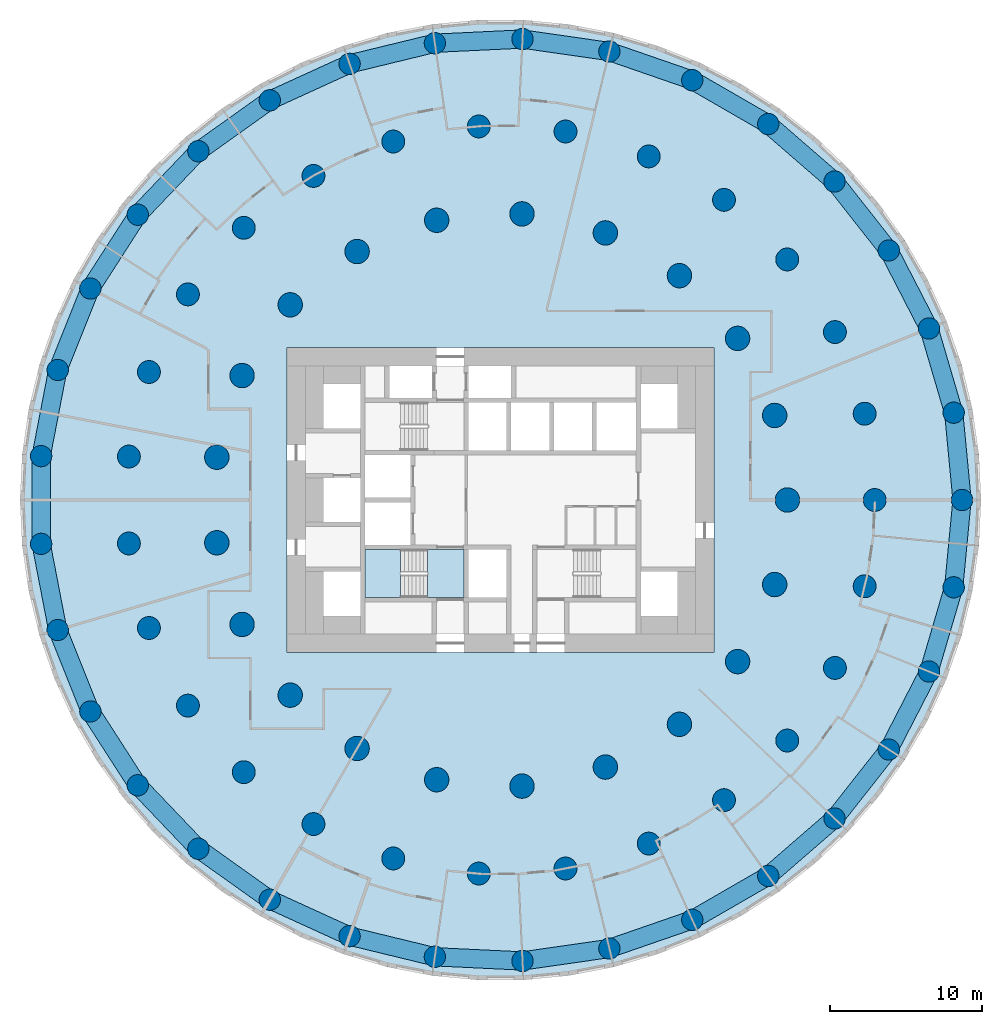
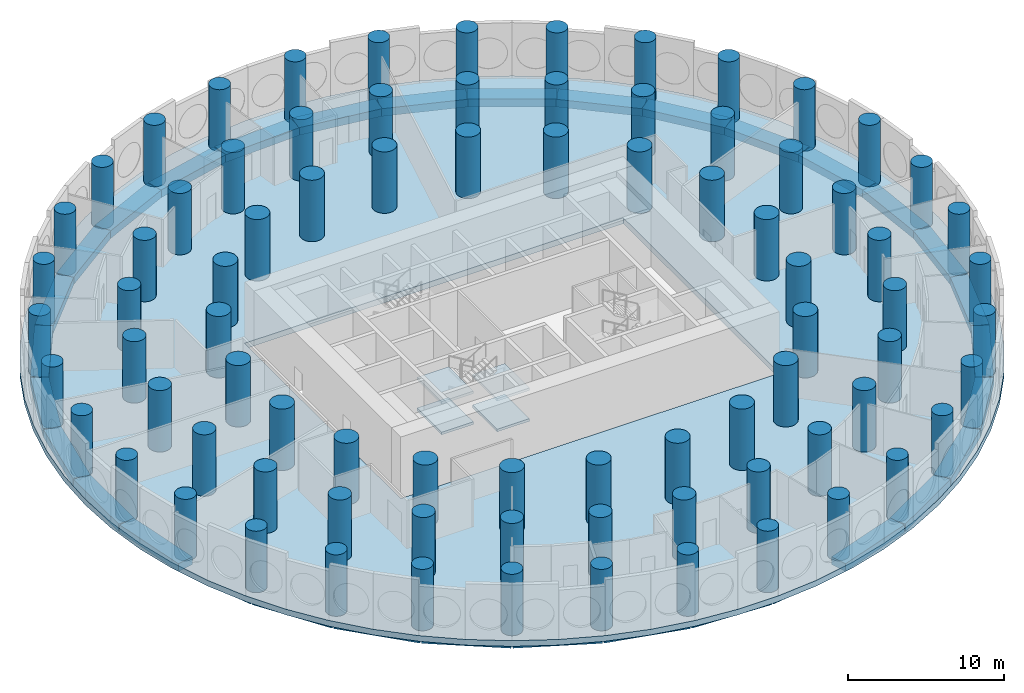
# One storey, part 1 of 11: 81 columns, 33 beams, 5 slabs, 1 element without a shape of its own.
"""IFC4 building model written with IfcOpenShell, lengths in metres."""

from ifc_helpers import new_model, si_unit, direction, frame, origin, origin_2d, place, context, subcontext, project, spatial, polyline, rectangle, circle, outline, extrude, material, layer, layer_set, material_profile, profile_set, type_object, element, aggregate, save


model = new_model("IFC4")

# Units and contexts
model_context = context("Model", 3, precision=1e-05, world=origin(), true_north=direction((0.0, 1.0)))
body_context = subcontext(model_context, "Body", "Model", "MODEL_VIEW")
ifc_project = project(units=[si_unit("LENGTHUNIT", "METRE"), si_unit("AREAUNIT", "SQUARE_METRE"), si_unit("VOLUMEUNIT", "CUBIC_METRE"), si_unit("PLANEANGLEUNIT", "RADIAN"), si_unit("MASSUNIT", "GRAM", prefix="KILO")], contexts=[model_context])

# Site, building, storey
site_placement = place(None, origin())
site = spatial("IfcSite", under=ifc_project, at=site_placement, CompositionType="ELEMENT")
building_placement = place(site_placement, origin())
building = spatial("IfcBuilding", under=site, at=building_placement, Name="Tracery Tower", CompositionType="ELEMENT")
storey_placement = place(building_placement, frame((0.0, 0.0, 23.39990234375)))
storey = spatial("IfcBuildingStorey", under=building, at=storey_placement, Name="L04", CompositionType="ELEMENT", Elevation=23.39990234375)

# Columns
ifc_material_1 = material(Name="Concrete C60/75", Category="concrete")
ifc_material_profile_1 = material_profile(ifc_material_1, circle(Radius=0.699951171875, at=origin_2d()), Name="RC D1400")
ifc_profile_set_1 = profile_set([ifc_material_profile_1], Name="Concrete C60/75")
column_type_1 = type_object("IfcColumnType", Name="Ring 0 column 1400", PredefinedType="COLUMN", material=ifc_profile_set_1)
for number, where, z_axis, x_axis, name in (
    (1, (30.274658203125, 0.0, 0.0), (0.0, 0.0, 1.0), (1.0, 0.0, 0.0), "Ring 0 column 00 at L04"),
    (2, (29.7275390625, 5.7294921875, 0.0), (0.0, 0.0, 1.0), (1.0, 0.0, 0.0), "Ring 0 column 01 at L04"),
    (3, (28.10595703125, 11.251953125, 0.0), (0.0, 0.0, 1.0), (1.0, 0.0, 0.0), "Ring 0 column 02 at L04"),
    (4, (25.468505859375, 16.36767578125, 0.0), (0.0, 0.0, 1.0), (1.0, 0.0, 0.0), "Ring 0 column 03 at L04"),
    (5, (21.910888671875, 20.891845703125, 0.0), (0.0, 0.0, 1.0), (1.0, 0.0, 0.0), "Ring 0 column 04 at L04"),
    (6, (17.56103515625, 24.660888671875, 0.0), (0.0, 0.0, 1.0), (1.0, 0.0, 0.0), "Ring 0 column 05 at L04"),
    (7, (12.576416015625, 27.538818359375, 0.0), (0.0, 0.0, 1.0), (1.0, 0.0, 0.0), "Ring 0 column 06 at L04"),
    (8, (7.137451171875, 29.421142578125, 0.0), (0.0, 0.0, 1.0), (1.0, 0.0, 0.0), "Ring 0 column 07 at L04"),
    (9, (1.4404296875, 30.240234375, 0.0), (0.0, 0.0, 1.0), (1.0, 0.0, 0.0), "Ring 0 column 08 at L04"),
    (10, (-4.30859375, 29.96630859375, 0.0), (0.0, 0.0, 1.0), (1.0, 0.0, 0.0), "Ring 0 column 09 at L04"),
    (11, (-9.90185546875, 28.609619140625, 0.0), (0.0, 0.0, 1.0), (1.0, 0.0, 0.0), "Ring 0 column 10 at L04"),
    (12, (-15.13720703125, 26.218505859375, 0.0), (0.0, 0.0, 1.0), (1.0, 0.0, 0.0), "Ring 0 column 11 at L04"),
    (13, (-19.82568359375, 22.8798828125, 0.0), (0.0, 0.0, 1.0), (1.0, 0.0, 0.0), "Ring 0 column 12 at L04"),
    (14, (-23.79736328125, 18.714599609375, 0.0), (0.0, 0.0, 1.0), (1.0, 0.0, 0.0), "Ring 0 column 13 at L04"),
    (15, (-26.9091796875, 13.87255859375, 0.0), (0.0, 0.0, 1.0), (1.0, 0.0, 0.0), "Ring 0 column 14 at L04"),
    (16, (-29.04833984375, 8.529296875, 0.0), (0.0, 0.0, 1.0), (1.0, 0.0, 0.0), "Ring 0 column 15 at L04"),
    (17, (-30.137451171875, 2.877685546875, 0.0), (0.0, 0.0, 1.0), (1.0, 0.0, 0.0), "Ring 0 column 16 at L04"),
    (18, (-30.137451171875, -2.877685546875, 0.0), (0.0, 0.0, 1.0), (1.0, 0.0, 0.0), "Ring 0 column 17 at L04"),
    (19, (-29.04833984375, -8.529296875, 0.0), (0.0, 0.0, 1.0), (1.0, 0.0, 0.0), "Ring 0 column 18 at L04"),
    (20, (-26.9091796875, -13.87255859375, 0.0), (0.0, 0.0, 1.0), (1.0, 0.0, 0.0), "Ring 0 column 19 at L04"),
    (21, (-23.79736328125, -18.714599609375, 0.0), (0.0, 0.0, 1.0), (1.0, 0.0, 0.0), "Ring 0 column 20 at L04"),
    (22, (-19.82568359375, -22.8798828125, 0.0), (0.0, 0.0, 1.0), (1.0, 0.0, 0.0), "Ring 0 column 21 at L04"),
    (23, (-15.13720703125, -26.218505859375, 0.0), (0.0, 0.0, 1.0), (1.0, 0.0, 0.0), "Ring 0 column 22 at L04"),
    (24, (-9.90185546875, -28.609619140625, 0.0), (0.0, 0.0, 1.0), (1.0, 0.0, 0.0), "Ring 0 column 23 at L04"),
    (25, (-4.30859375, -29.96630859375, 0.0), (0.0, 0.0, 1.0), (1.0, 0.0, 0.0), "Ring 0 column 24 at L04"),
    (26, (1.4404296875, -30.240234375, 0.0), (0.0, 0.0, 1.0), (1.0, 0.0, 0.0), "Ring 0 column 25 at L04"),
    (27, (7.137451171875, -29.421142578125, 0.0), (0.0, 0.0, 1.0), (1.0, 0.0, 0.0), "Ring 0 column 26 at L04"),
    (28, (12.576416015625, -27.538818359375, 0.0), (0.0, 0.0, 1.0), (1.0, 0.0, 0.0), "Ring 0 column 27 at L04"),
    (29, (17.56103515625, -24.660888671875, 0.0), (0.0, 0.0, 1.0), (1.0, 0.0, 0.0), "Ring 0 column 28 at L04"),
    (30, (21.910888671875, -20.891845703125, 0.0), (0.0, 0.0, 1.0), (1.0, 0.0, 0.0), "Ring 0 column 29 at L04"),
    (31, (25.468505859375, -16.36767578125, 0.0), (0.0, 0.0, 1.0), (1.0, 0.0, 0.0), "Ring 0 column 30 at L04"),
    (32, (28.10595703125, -11.251953125, 0.0), (0.0, 0.0, 1.0), (1.0, 0.0, 0.0), "Ring 0 column 31 at L04"),
    (33, (29.7275390625, -5.7294921875, 0.0), (0.0, 0.0, 1.0), (1.0, 0.0, 0.0), "Ring 0 column 32 at L04"),
):
    element("IfcColumn", number, at=place(storey_placement, frame(where, z_axis=z_axis, x_axis=x_axis)), inside=storey, type_object=column_type_1, Name=name, PredefinedType="COLUMN", context=body_context, shape_type="SweptSolid", body=[
        extrude(circle(Radius=0.699951171875, at=origin_2d()), origin(), (0.0, 0.0, 1.0), 4.800048828125),
    ])
ifc_material_2 = material(Name="Concrete C60/75", Category="concrete")
ifc_material_profile_2 = material_profile(ifc_material_2, circle(Radius=0.75, at=origin_2d()), Name="RC D1500")
ifc_profile_set_2 = profile_set([ifc_material_profile_2], Name="Concrete C60/75")
column_type_2 = type_object("IfcColumnType", Name="Ring 1 column 1500", PredefinedType="COLUMN", material=ifc_profile_set_2)
for number, where, z_axis, x_axis, name in (
    (34, (24.547607421875, 0.0, 0.0), (0.0, 0.0, 1.0), (1.0, 0.0, 0.0), "Ring 1 column 00 at L04"),
    (35, (23.885986328125, 5.6611328125, 0.0), (0.0, 0.0, 1.0), (1.0, 0.0, 0.0), "Ring 1 column 01 at L04"),
    (36, (21.9365234375, 11.01708984375, 0.0), (0.0, 0.0, 1.0), (1.0, 0.0, 0.0), "Ring 1 column 02 at L04"),
    (37, (18.8046875, 15.779052734375, 0.0), (0.0, 0.0, 1.0), (1.0, 0.0, 0.0), "Ring 1 column 03 at L04"),
    (38, (14.658935546875, 19.690185546875, 0.0), (0.0, 0.0, 1.0), (1.0, 0.0, 0.0), "Ring 1 column 04 at L04"),
    (39, (9.722900390625, 22.5400390625, 0.0), (0.0, 0.0, 1.0), (1.0, 0.0, 0.0), "Ring 1 column 05 at L04"),
    (40, (4.2626953125, 24.1748046875, 0.0), (0.0, 0.0, 1.0), (1.0, 0.0, 0.0), "Ring 1 column 06 at L04"),
    (41, (-1.42724609375, 24.506103515625, 0.0), (0.0, 0.0, 1.0), (1.0, 0.0, 0.0), "Ring 1 column 07 at L04"),
    (42, (-7.040283203125, 23.516357421875, 0.0), (0.0, 0.0, 1.0), (1.0, 0.0, 0.0), "Ring 1 column 08 at L04"),
    (43, (-12.273681640625, 21.2587890625, 0.0), (0.0, 0.0, 1.0), (1.0, 0.0, 0.0), "Ring 1 column 09 at L04"),
    (44, (-16.845703125, 17.855224609375, 0.0), (0.0, 0.0, 1.0), (1.0, 0.0, 0.0), "Ring 1 column 10 at L04"),
    (45, (-20.50927734375, 13.4892578125, 0.0), (0.0, 0.0, 1.0), (1.0, 0.0, 0.0), "Ring 1 column 11 at L04"),
    (46, (-23.0673828125, 8.395751953125, 0.0), (0.0, 0.0, 1.0), (1.0, 0.0, 0.0), "Ring 1 column 12 at L04"),
    (47, (-24.381591796875, 2.849853515625, 0.0), (0.0, 0.0, 1.0), (1.0, 0.0, 0.0), "Ring 1 column 13 at L04"),
    (48, (-24.381591796875, -2.849853515625, 0.0), (0.0, 0.0, 1.0), (1.0, 0.0, 0.0), "Ring 1 column 14 at L04"),
    (49, (-23.0673828125, -8.395751953125, 0.0), (0.0, 0.0, 1.0), (1.0, 0.0, 0.0), "Ring 1 column 15 at L04"),
    (50, (-20.50927734375, -13.4892578125, 0.0), (0.0, 0.0, 1.0), (1.0, 0.0, 0.0), "Ring 1 column 16 at L04"),
    (51, (-16.845703125, -17.85546875, 0.0), (0.0, 0.0, 1.0), (1.0, 0.0, 0.0), "Ring 1 column 17 at L04"),
    (52, (-12.27392578125, -21.2587890625, 0.0), (0.0, 0.0, 1.0), (1.0, 0.0, 0.0), "Ring 1 column 18 at L04"),
    (53, (-7.040283203125, -23.516357421875, 0.0), (0.0, 0.0, 1.0), (1.0, 0.0, 0.0), "Ring 1 column 19 at L04"),
    (54, (-1.42724609375, -24.506103515625, 0.0), (0.0, 0.0, 1.0), (1.0, 0.0, 0.0), "Ring 1 column 20 at L04"),
    (55, (4.2626953125, -24.1748046875, 0.0), (0.0, 0.0, 1.0), (1.0, 0.0, 0.0), "Ring 1 column 21 at L04"),
    (56, (9.722900390625, -22.5400390625, 0.0), (0.0, 0.0, 1.0), (1.0, 0.0, 0.0), "Ring 1 column 22 at L04"),
    (57, (14.658935546875, -19.690185546875, 0.0), (0.0, 0.0, 1.0), (1.0, 0.0, 0.0), "Ring 1 column 23 at L04"),
    (58, (18.8046875, -15.779052734375, 0.0), (0.0, 0.0, 1.0), (1.0, 0.0, 0.0), "Ring 1 column 24 at L04"),
    (59, (21.9365234375, -11.01708984375, 0.0), (0.0, 0.0, 1.0), (1.0, 0.0, 0.0), "Ring 1 column 25 at L04"),
    (60, (23.885986328125, -5.6611328125, 0.0), (0.0, 0.0, 1.0), (1.0, 0.0, 0.0), "Ring 1 column 26 at L04"),
):
    element("IfcColumn", number, at=place(storey_placement, frame(where, z_axis=z_axis, x_axis=x_axis)), inside=storey, type_object=column_type_2, Name=name, PredefinedType="COLUMN", context=body_context, shape_type="SweptSolid", body=[
        extrude(circle(Radius=0.75, at=origin_2d()), origin(), (0.0, 0.0, 1.0), 4.800048828125),
    ])
ifc_material_3 = material(Name="Concrete C60/75", Category="concrete")
ifc_material_profile_3 = material_profile(ifc_material_3, circle(Radius=0.800048828125, at=origin_2d()), Name="RC D1600")
ifc_profile_set_3 = profile_set([ifc_material_profile_3], Name="Concrete C60/75")
column_type_3 = type_object("IfcColumnType", Name="Ring 2 column 1600", PredefinedType="COLUMN", material=ifc_profile_set_3)
for number, where, z_axis, x_axis, name in (
    (61, (18.822265625, 0.0, 0.0), (0.0, 0.0, 1.0), (1.0, 0.0, 0.0), "Ring 2 column 00 at L04"),
    (62, (17.986083984375, 5.5478515625, 0.0), (0.0, 0.0, 1.0), (1.0, 0.0, 0.0), "Ring 2 column 01 at L04"),
    (63, (15.551513671875, 10.602783203125, 0.0), (0.0, 0.0, 1.0), (1.0, 0.0, 0.0), "Ring 2 column 02 at L04"),
    (64, (11.7353515625, 14.7158203125, 0.0), (0.0, 0.0, 1.0), (1.0, 0.0, 0.0), "Ring 2 column 03 at L04"),
    (65, (6.87646484375, 17.52099609375, 0.0), (0.0, 0.0, 1.0), (1.0, 0.0, 0.0), "Ring 2 column 04 at L04"),
    (66, (1.406494140625, 18.76953125, 0.0), (0.0, 0.0, 1.0), (1.0, 0.0, 0.0), "Ring 2 column 05 at L04"),
    (67, (-4.188232421875, 18.350341796875, 0.0), (0.0, 0.0, 1.0), (1.0, 0.0, 0.0), "Ring 2 column 06 at L04"),
    (68, (-9.4111328125, 16.300537109375, 0.0), (0.0, 0.0, 1.0), (1.0, 0.0, 0.0), "Ring 2 column 07 at L04"),
    (69, (-13.797607421875, 12.802490234375, 0.0), (0.0, 0.0, 1.0), (1.0, 0.0, 0.0), "Ring 2 column 08 at L04"),
    (70, (-16.958251953125, 8.16650390625, 0.0), (0.0, 0.0, 1.0), (1.0, 0.0, 0.0), "Ring 2 column 09 at L04"),
    (71, (-18.612060546875, 2.805419921875, 0.0), (0.0, 0.0, 1.0), (1.0, 0.0, 0.0), "Ring 2 column 10 at L04"),
    (72, (-18.612060546875, -2.805419921875, 0.0), (0.0, 0.0, 1.0), (1.0, 0.0, 0.0), "Ring 2 column 11 at L04"),
    (73, (-16.958251953125, -8.166748046875, 0.0), (0.0, 0.0, 1.0), (1.0, 0.0, 0.0), "Ring 2 column 12 at L04"),
    (74, (-13.797607421875, -12.80224609375, 0.0), (0.0, 0.0, 1.0), (1.0, 0.0, 0.0), "Ring 2 column 13 at L04"),
    (75, (-9.4111328125, -16.300537109375, 0.0), (0.0, 0.0, 1.0), (1.0, 0.0, 0.0), "Ring 2 column 14 at L04"),
    (76, (-4.188232421875, -18.350341796875, 0.0), (0.0, 0.0, 1.0), (1.0, 0.0, 0.0), "Ring 2 column 15 at L04"),
    (77, (1.406494140625, -18.76953125, 0.0), (0.0, 0.0, 1.0), (1.0, 0.0, 0.0), "Ring 2 column 16 at L04"),
    (78, (6.87646484375, -17.52099609375, 0.0), (0.0, 0.0, 1.0), (1.0, 0.0, 0.0), "Ring 2 column 17 at L04"),
    (79, (11.7353515625, -14.7158203125, 0.0), (0.0, 0.0, 1.0), (1.0, 0.0, 0.0), "Ring 2 column 18 at L04"),
    (80, (15.551513671875, -10.602783203125, 0.0), (0.0, 0.0, 1.0), (1.0, 0.0, 0.0), "Ring 2 column 19 at L04"),
    (81, (17.986083984375, -5.5478515625, 0.0), (0.0, 0.0, 1.0), (1.0, 0.0, 0.0), "Ring 2 column 20 at L04"),
):
    element("IfcColumn", number, at=place(storey_placement, frame(where, z_axis=z_axis, x_axis=x_axis)), inside=storey, type_object=column_type_3, Name=name, PredefinedType="COLUMN", context=body_context, shape_type="SweptSolid", body=[
        extrude(circle(Radius=0.800048828125, at=origin_2d()), origin(), (0.0, 0.0, 1.0), 4.800048828125),
    ])

# Beams
ifc_material_4 = material(Name="Concrete C60/75", Category="concrete")
ifc_material_profile_4 = material_profile(ifc_material_4, rectangle(XDim=1.199951171875, YDim=0.60009765625, at=origin_2d()), Name="RC 1200x600")
ifc_profile_set_4 = profile_set([ifc_material_profile_4], Name="Concrete C60/75")
beam_type = type_object("IfcBeamType", Name="Perimeter band beam 1200x600", PredefinedType="BEAM", material=ifc_profile_set_4)
for number, where, z_axis, x_axis, name in (
    (82, (30.274658203125, 0.0, -0.75), (-0.095059309677, 0.995471610667, 0.0), (-0.995471610667, -0.095059309677, 0.0), "Perimeter beam 0.00 under L04"),
    (83, (29.7275390625, 5.7294921875, -0.75), (-0.281739145896, 0.959491038869, 0.0), (-0.959491038869, -0.281739145896, 0.0), "Perimeter beam 0.01 under L04"),
    (84, (28.10595703125, 11.251953125, -0.75), (-0.458242010493, 0.88882746347, 0.0), (-0.88882746347, -0.458242010493, 0.0), "Perimeter beam 0.02 under L04"),
):
    element("IfcBeam", number, at=place(storey_placement, frame(where, z_axis=z_axis, x_axis=x_axis)), inside=storey, type_object=beam_type, Name=name, PredefinedType="BEAM", context=body_context, shape_type="SweptSolid", body=[
        extrude(rectangle(XDim=1.199951171875, YDim=0.60009765625, at=origin_2d()), origin(), (0.0, 0.0, 1.0), 5.755615234375),
    ])
beam_1_placement = place(storey_placement, frame((25.468505859375, 16.36767578125, -0.75), z_axis=(-0.618134362257, 0.786072458618, 0.0), x_axis=(-0.786072458618, -0.618134362257, 0.0)))
element("IfcBeam", 85, at=beam_1_placement, inside=storey, type_object=beam_type, Name="Perimeter beam 0.03 under L04", PredefinedType="BEAM", context=body_context, shape_type="SweptSolid", body=[
    extrude(rectangle(XDim=1.199951171875, YDim=0.60009765625, at=origin_2d()), origin(), (0.0, 0.0, 1.0), 5.75537109375),
])
beam_2_placement = place(storey_placement, frame((21.910888671875, 20.891845703125, -0.75), z_axis=(-0.755760456715, 0.65484817482, 0.0), x_axis=(-0.65484817482, -0.755760456715, 0.0)))
element("IfcBeam", 86, at=beam_2_placement, inside=storey, type_object=beam_type, Name="Perimeter beam 0.04 under L04", PredefinedType="BEAM", context=body_context, shape_type="SweptSolid", body=[
    extrude(rectangle(XDim=1.199951171875, YDim=0.60009765625, at=origin_2d()), origin(), (0.0, 0.0, 1.0), 5.755615234375),
])
beam_3_placement = place(storey_placement, frame((17.56103515625, 24.660888671875, -0.75), z_axis=(-0.866021003874, 0.50000762079, 0.0), x_axis=(-0.50000762079, -0.866021003874, 0.0)))
element("IfcBeam", 87, at=beam_3_placement, inside=storey, type_object=beam_type, Name="Perimeter beam 0.05 under L04", PredefinedType="BEAM", context=body_context, shape_type="SweptSolid", body=[
    extrude(rectangle(XDim=1.199951171875, YDim=0.60009765625, at=origin_2d()), origin(), (0.0, 0.0, 1.0), 5.755859375),
])
beam_4_placement = place(storey_placement, frame((12.576416015625, 27.538818359375, -0.75), z_axis=(-0.945007252869, 0.327049372458, 0.0), x_axis=(-0.327049372458, -0.945007252869, 0.0)))
element("IfcBeam", 88, at=beam_4_placement, inside=storey, type_object=beam_type, Name="Perimeter beam 0.06 under L04", PredefinedType="BEAM", context=body_context, shape_type="SweptSolid", body=[
    extrude(rectangle(XDim=1.199951171875, YDim=0.60009765625, at=origin_2d()), origin(), (0.0, 0.0, 1.0), 5.75537109375),
])
for number, where, z_axis, x_axis, name in (
    (89, (7.137451171875, 29.421142578125, -0.75), (-0.989821839174, 0.142312075013, 0.0), (-0.142312075013, -0.989821839174, 0.0), "Perimeter beam 0.07 under L04"),
    (90, (1.4404296875, 30.240234375, -0.75), (-0.998866793759, -0.047593364303, 0.0), (0.047593364303, -0.998866793759, 0.0), "Perimeter beam 0.08 under L04"),
):
    element("IfcBeam", number, at=place(storey_placement, frame(where, z_axis=z_axis, x_axis=x_axis)), inside=storey, type_object=beam_type, Name=name, PredefinedType="BEAM", context=body_context, shape_type="SweptSolid", body=[
        extrude(rectangle(XDim=1.199951171875, YDim=0.60009765625, at=origin_2d()), origin(), (0.0, 0.0, 1.0), 5.755615234375),
    ])
beam_5_placement = place(storey_placement, frame((-4.30859375, 29.96630859375, -0.75), z_axis=(-0.971820371509, -0.235722645328, 0.0), x_axis=(0.235722645328, -0.971820371509, 0.0)))
element("IfcBeam", 91, at=beam_5_placement, inside=storey, type_object=beam_type, Name="Perimeter beam 0.09 under L04", PredefinedType="BEAM", context=body_context, shape_type="SweptSolid", body=[
    extrude(rectangle(XDim=1.199951171875, YDim=0.60009765625, at=origin_2d()), origin(), (0.0, 0.0, 1.0), 5.75537109375),
])
for number, where, z_axis, x_axis, name in (
    (92, (-9.90185546875, 28.609619140625, -0.75), (-0.909618316865, -0.415444963411, 0.0), (0.415444963411, -0.909618316865, 0.0), "Perimeter beam 0.10 under L04"),
    (93, (-15.13720703125, 26.218505859375, -0.75), (-0.8145780864, -0.580053912285, 0.0), (0.580053912285, -0.8145780864, 0.0), "Perimeter beam 0.11 under L04"),
):
    element("IfcBeam", number, at=place(storey_placement, frame(where, z_axis=z_axis, x_axis=x_axis)), inside=storey, type_object=beam_type, Name=name, PredefinedType="BEAM", context=body_context, shape_type="SweptSolid", body=[
        extrude(rectangle(XDim=1.199951171875, YDim=0.60009765625, at=origin_2d()), origin(), (0.0, 0.0, 1.0), 5.755615234375),
    ])
beam_6_placement = place(storey_placement, frame((-19.82568359375, 22.8798828125, -0.75), z_axis=(-0.690087218267, -0.723726212863, 0.0), x_axis=(0.723726212863, -0.690087218267, 0.0)))
element("IfcBeam", 94, at=beam_6_placement, inside=storey, type_object=beam_type, Name="Perimeter beam 0.12 under L04", PredefinedType="BEAM", context=body_context, shape_type="SweptSolid", body=[
    extrude(rectangle(XDim=1.199951171875, YDim=0.60009765625, at=origin_2d()), origin(), (0.0, 0.0, 1.0), 5.75537109375),
])
beam_7_placement = place(storey_placement, frame((-23.79736328125, 18.714599609375, -0.75), z_axis=(-0.540643964602, -0.841251510274, 0.0), x_axis=(0.841251510274, -0.540643964602, 0.0)))
element("IfcBeam", 95, at=beam_7_placement, inside=storey, type_object=beam_type, Name="Perimeter beam 0.13 under L04", PredefinedType="BEAM", context=body_context, shape_type="SweptSolid", body=[
    extrude(rectangle(XDim=1.199951171875, YDim=0.60009765625, at=origin_2d()), origin(), (0.0, 0.0, 1.0), 5.755859375),
])
for number, where, z_axis, x_axis, name in (
    (96, (-26.9091796875, 13.87255859375, -0.75), (-0.371668572289, -0.928365484264, 0.0), (0.928365484264, -0.371668572289, 0.0), "Perimeter beam 0.14 under L04"),
    (97, (-29.04833984375, 8.529296875, -0.75), (-0.189226539295, -0.981933458451, 0.0), (0.981933458451, -0.189226539295, 0.0), "Perimeter beam 0.15 under L04"),
):
    element("IfcBeam", number, at=place(storey_placement, frame(where, z_axis=z_axis, x_axis=x_axis)), inside=storey, type_object=beam_type, Name=name, PredefinedType="BEAM", context=body_context, shape_type="SweptSolid", body=[
        extrude(rectangle(XDim=1.199951171875, YDim=0.60009765625, at=origin_2d()), origin(), (0.0, 0.0, 1.0), 5.755615234375),
    ])
beam_8_placement = place(storey_placement, frame((-30.137451171875, 2.877685546875, -0.75), z_axis=(0.0, -1.0, 0.0), x_axis=(1.0, 0.0, 0.0)))
element("IfcBeam", 98, at=beam_8_placement, inside=storey, type_object=beam_type, Name="Perimeter beam 0.16 under L04", PredefinedType="BEAM", context=body_context, shape_type="SweptSolid", body=[
    extrude(rectangle(XDim=1.199951171875, YDim=0.60009765625, at=origin_2d()), origin(), (0.0, 0.0, 1.0), 5.75537109375),
])
for number, where, z_axis, x_axis, name in (
    (99, (-30.137451171875, -2.877685546875, -0.75), (0.189226539295, -0.981933458451, 0.0), (0.981933458451, 0.189226539295, 0.0), "Perimeter beam 0.17 under L04"),
    (100, (-29.04833984375, -8.529296875, -0.75), (0.371668572289, -0.928365484264, 0.0), (0.928365484264, 0.371668572289, 0.0), "Perimeter beam 0.18 under L04"),
):
    element("IfcBeam", number, at=place(storey_placement, frame(where, z_axis=z_axis, x_axis=x_axis)), inside=storey, type_object=beam_type, Name=name, PredefinedType="BEAM", context=body_context, shape_type="SweptSolid", body=[
        extrude(rectangle(XDim=1.199951171875, YDim=0.60009765625, at=origin_2d()), origin(), (0.0, 0.0, 1.0), 5.755615234375),
    ])
beam_9_placement = place(storey_placement, frame((-26.9091796875, -13.87255859375, -0.75), z_axis=(0.540643964602, -0.841251510274, 0.0), x_axis=(0.841251510274, 0.540643964602, 0.0)))
element("IfcBeam", 101, at=beam_9_placement, inside=storey, type_object=beam_type, Name="Perimeter beam 0.19 under L04", PredefinedType="BEAM", context=body_context, shape_type="SweptSolid", body=[
    extrude(rectangle(XDim=1.199951171875, YDim=0.60009765625, at=origin_2d()), origin(), (0.0, 0.0, 1.0), 5.755859375),
])
beam_10_placement = place(storey_placement, frame((-23.79736328125, -18.714599609375, -0.75), z_axis=(0.690087218267, -0.723726212863, 0.0), x_axis=(0.723726212863, 0.690087218267, 0.0)))
element("IfcBeam", 102, at=beam_10_placement, inside=storey, type_object=beam_type, Name="Perimeter beam 0.20 under L04", PredefinedType="BEAM", context=body_context, shape_type="SweptSolid", body=[
    extrude(rectangle(XDim=1.199951171875, YDim=0.60009765625, at=origin_2d()), origin(), (0.0, 0.0, 1.0), 5.75537109375),
])
for number, where, z_axis, x_axis, name in (
    (103, (-19.82568359375, -22.8798828125, -0.75), (0.8145780864, -0.580053912285, 0.0), (0.580053912285, 0.8145780864, 0.0), "Perimeter beam 0.21 under L04"),
    (104, (-15.13720703125, -26.218505859375, -0.75), (0.909618316865, -0.415444963411, 0.0), (0.415444963411, 0.909618316865, 0.0), "Perimeter beam 0.22 under L04"),
):
    element("IfcBeam", number, at=place(storey_placement, frame(where, z_axis=z_axis, x_axis=x_axis)), inside=storey, type_object=beam_type, Name=name, PredefinedType="BEAM", context=body_context, shape_type="SweptSolid", body=[
        extrude(rectangle(XDim=1.199951171875, YDim=0.60009765625, at=origin_2d()), origin(), (0.0, 0.0, 1.0), 5.755615234375),
    ])
beam_11_placement = place(storey_placement, frame((-9.90185546875, -28.609619140625, -0.75), z_axis=(0.971820371509, -0.235722645328, 0.0), x_axis=(0.235722645328, 0.971820371509, 0.0)))
element("IfcBeam", 105, at=beam_11_placement, inside=storey, type_object=beam_type, Name="Perimeter beam 0.23 under L04", PredefinedType="BEAM", context=body_context, shape_type="SweptSolid", body=[
    extrude(rectangle(XDim=1.199951171875, YDim=0.60009765625, at=origin_2d()), origin(), (0.0, 0.0, 1.0), 5.75537109375),
])
for number, where, z_axis, x_axis, name in (
    (106, (-4.30859375, -29.96630859375, -0.75), (0.998866793759, -0.047593364303, 0.0), (0.047593364303, 0.998866793759, 0.0), "Perimeter beam 0.24 under L04"),
    (107, (1.4404296875, -30.240234375, -0.75), (0.989821839174, 0.142312075013, 0.0), (-0.142312075013, 0.989821839174, 0.0), "Perimeter beam 0.25 under L04"),
):
    element("IfcBeam", number, at=place(storey_placement, frame(where, z_axis=z_axis, x_axis=x_axis)), inside=storey, type_object=beam_type, Name=name, PredefinedType="BEAM", context=body_context, shape_type="SweptSolid", body=[
        extrude(rectangle(XDim=1.199951171875, YDim=0.60009765625, at=origin_2d()), origin(), (0.0, 0.0, 1.0), 5.755615234375),
    ])
beam_12_placement = place(storey_placement, frame((7.137451171875, -29.421142578125, -0.75), z_axis=(0.945007252869, 0.327049372458, 0.0), x_axis=(-0.327049372458, 0.945007252869, 0.0)))
element("IfcBeam", 108, at=beam_12_placement, inside=storey, type_object=beam_type, Name="Perimeter beam 0.26 under L04", PredefinedType="BEAM", context=body_context, shape_type="SweptSolid", body=[
    extrude(rectangle(XDim=1.199951171875, YDim=0.60009765625, at=origin_2d()), origin(), (0.0, 0.0, 1.0), 5.75537109375),
])
beam_13_placement = place(storey_placement, frame((12.576416015625, -27.538818359375, -0.75), z_axis=(0.866021003874, 0.50000762079, 0.0), x_axis=(-0.50000762079, 0.866021003874, 0.0)))
element("IfcBeam", 109, at=beam_13_placement, inside=storey, type_object=beam_type, Name="Perimeter beam 0.27 under L04", PredefinedType="BEAM", context=body_context, shape_type="SweptSolid", body=[
    extrude(rectangle(XDim=1.199951171875, YDim=0.60009765625, at=origin_2d()), origin(), (0.0, 0.0, 1.0), 5.755859375),
])
beam_14_placement = place(storey_placement, frame((17.56103515625, -24.660888671875, -0.75), z_axis=(0.755760456715, 0.65484817482, 0.0), x_axis=(-0.65484817482, 0.755760456715, 0.0)))
element("IfcBeam", 110, at=beam_14_placement, inside=storey, type_object=beam_type, Name="Perimeter beam 0.28 under L04", PredefinedType="BEAM", context=body_context, shape_type="SweptSolid", body=[
    extrude(rectangle(XDim=1.199951171875, YDim=0.60009765625, at=origin_2d()), origin(), (0.0, 0.0, 1.0), 5.755615234375),
])
beam_15_placement = place(storey_placement, frame((21.910888671875, -20.891845703125, -0.75), z_axis=(0.618134362257, 0.786072458618, 0.0), x_axis=(-0.786072458618, 0.618134362257, 0.0)))
element("IfcBeam", 111, at=beam_15_placement, inside=storey, type_object=beam_type, Name="Perimeter beam 0.29 under L04", PredefinedType="BEAM", context=body_context, shape_type="SweptSolid", body=[
    extrude(rectangle(XDim=1.199951171875, YDim=0.60009765625, at=origin_2d()), origin(), (0.0, 0.0, 1.0), 5.75537109375),
])
for number, where, z_axis, x_axis, name in (
    (112, (25.468505859375, -16.36767578125, -0.75), (0.458242010493, 0.88882746347, 0.0), (-0.88882746347, 0.458242010493, 0.0), "Perimeter beam 0.30 under L04"),
    (113, (28.10595703125, -11.251953125, -0.75), (0.281739145896, 0.959491038869, 0.0), (-0.959491038869, 0.281739145896, 0.0), "Perimeter beam 0.31 under L04"),
    (114, (29.7275390625, -5.7294921875, -0.75), (0.095059309677, 0.995471610667, 0.0), (-0.995471610667, 0.095059309677, 0.0), "Perimeter beam 0.32 under L04"),
):
    element("IfcBeam", number, at=place(storey_placement, frame(where, z_axis=z_axis, x_axis=x_axis)), inside=storey, type_object=beam_type, Name=name, PredefinedType="BEAM", context=body_context, shape_type="SweptSolid", body=[
        extrude(rectangle(XDim=1.199951171875, YDim=0.60009765625, at=origin_2d()), origin(), (0.0, 0.0, 1.0), 5.755615234375),
    ])

# Slabs
ifc_material_5 = material(Name="Concrete C50/60", Category="concrete")
ifc_layer_1 = layer(ifc_material_5, 0.449951171875)
ifc_layer_set_1 = layer_set([ifc_layer_1], Name="Floor slab 450")
slab_type_1 = type_object("IfcSlabType", Name="Floor slab 450", PredefinedType="FLOOR", material=ifc_layer_set_1)
slab_1_placement = place(storey_placement, frame((0.0, 0.0, -0.449951171875)))
element("IfcSlab", 115, at=slab_1_placement, inside=storey, type_object=slab_type_1, Name="Floor slab L04", PredefinedType="FLOOR", context=body_context, shape_type="SweptSolid", body=[
    extrude(outline(polyline([(31.524658203125, 0.0), (31.3818359375, 2.99658203125), (30.954833984375, 5.966064453125), (30.24755859375, 8.881591796875), (29.266357421875, 11.716552734375), (28.020263671875, 14.4453125), (26.520263671875, 17.04345703125), (24.780029296875, 19.4873046875), (22.8154296875, 21.75439453125), (20.644287109375, 23.82470703125), (18.2861328125, 25.67919921875), (15.76220703125, 27.301025390625), (13.095703125, 28.67578125), (10.310791015625, 29.790771484375), (7.43212890625, 30.635986328125), (4.486328125, 31.20361328125), (1.5, 31.489013671875), (-1.5, 31.489013671875), (-4.486328125, 31.20361328125), (-7.43212890625, 30.635986328125), (-10.310791015625, 29.790771484375), (-13.095703125, 28.67578125), (-15.76220703125, 27.301025390625), (-18.2861328125, 25.67919921875), (-20.644287109375, 23.82470703125), (-22.8154296875, 21.75439453125), (-24.780029296875, 19.4873046875), (-26.520263671875, 17.04345703125), (-28.020263671875, 14.4453125), (-29.266357421875, 11.716552734375), (-30.24755859375, 8.881591796875), (-30.954833984375, 5.966064453125), (-31.3818359375, 2.99658203125), (-31.524658203125, 0.0), (-31.3818359375, -2.99658203125), (-30.954833984375, -5.966064453125), (-30.24755859375, -8.881591796875), (-29.266357421875, -11.716552734375), (-28.020263671875, -14.4453125), (-26.520263671875, -17.04345703125), (-24.780029296875, -19.4873046875), (-22.8154296875, -21.75439453125), (-20.644287109375, -23.82470703125), (-18.2861328125, -25.67919921875), (-15.76220703125, -27.301025390625), (-13.095703125, -28.67578125), (-10.310791015625, -29.790771484375), (-7.43212890625, -30.635986328125), (-4.486328125, -31.20361328125), (-1.5, -31.489013671875), (1.5, -31.489013671875), (4.486328125, -31.20361328125), (7.43212890625, -30.635986328125), (10.310791015625, -29.790771484375), (13.095703125, -28.67578125), (15.76220703125, -27.301025390625), (18.2861328125, -25.67919921875), (20.644287109375, -23.82470703125), (22.8154296875, -21.75439453125), (24.780029296875, -19.4873046875), (26.520263671875, -17.04345703125), (28.020263671875, -14.4453125), (29.266357421875, -11.716552734375), (30.24755859375, -8.881591796875), (30.954833984375, -5.966064453125), (31.3818359375, -2.99658203125), (31.524658203125, 0.0)]), holes=[polyline([(-14.0, -10.0), (14.0, -10.0), (14.0, 10.0), (-14.0, 10.0), (-14.0, -10.0)])]), origin(), (0.0, 0.0, 1.0), 0.449951171875),
])
ifc_material_6 = material(Name="Concrete C32/40", Category="concrete")
ifc_layer_2 = layer(ifc_material_6, 0.199951171875)
ifc_layer_set_2 = layer_set([ifc_layer_2], Name="Stair landing slab 200")
slab_type_2 = type_object("IfcSlabType", Name="Stair landing slab 200", PredefinedType="LANDING", material=ifc_layer_set_2)
slab_2_placement = place(storey_placement, frame((0.0, 0.0, -0.199951171875)))
element("IfcSlab", 116, at=slab_2_placement, inside=storey, type_object=slab_type_2, Name="L04 stair ST1 floor landing", PredefinedType="LANDING", context=body_context, shape_type="SweptSolid", body=[
    extrude(outline(polyline([(-2.39990234375, -3.25), (-4.800537109375, -3.25), (-4.800537109375, -6.39990234375), (-2.39990234375, -6.39990234375), (-2.39990234375, -3.25)])), origin(), (0.0, 0.0, 1.0), 0.199951171875),
])

# Stair, slabs
ifc_material_7 = material(Name="Concrete C32/40", Category="concrete")
stair_type = type_object("IfcStairType", Name="Core stair 32 risers", PredefinedType="HALF_TURN_STAIR", material=ifc_material_7)
stair_placement = place(storey_placement, origin())
stair = element("IfcStair", 117, at=stair_placement, inside=storey, type_object=stair_type, Name="L04 stair ST1", PredefinedType="HALF_TURN_STAIR")
slab_3_placement = place(storey_placement, frame((0.0, 0.0, 1.0)))
slab_3 = element("IfcSlab", 118, at=slab_3_placement, type_object=slab_type_2, Name="ST1 landing 1", PredefinedType="LANDING", context=body_context, shape_type="SweptSolid", body=[
    extrude(outline(polyline([(-6.54931640625, -3.25), (-8.89990234375, -3.25), (-8.89990234375, -6.39990234375), (-6.54931640625, -6.39990234375), (-6.54931640625, -3.25)])), origin(), (0.0, 0.0, 1.0), 0.2001953125),
])
slab_4_placement = place(storey_placement, frame((0.0, 0.0, 2.2001953125)))
slab_4 = element("IfcSlab", 119, at=slab_4_placement, type_object=slab_type_2, Name="ST1 landing 2", PredefinedType="LANDING", context=body_context, shape_type="SweptSolid", body=[
    extrude(outline(polyline([(-2.39990234375, -3.25), (-4.800537109375, -3.25), (-4.800537109375, -6.39990234375), (-2.39990234375, -6.39990234375), (-2.39990234375, -3.25)])), origin(), (0.0, 0.0, 1.0), 0.199951171875),
])
slab_5_placement = place(storey_placement, frame((0.0, 0.0, 3.400146484375)))
slab_5 = element("IfcSlab", 120, at=slab_5_placement, type_object=slab_type_2, Name="ST1 landing 3", PredefinedType="LANDING", context=body_context, shape_type="SweptSolid", body=[
    extrude(outline(polyline([(-6.54931640625, -3.25), (-8.89990234375, -3.25), (-8.89990234375, -6.39990234375), (-6.54931640625, -6.39990234375), (-6.54931640625, -3.25)])), origin(), (0.0, 0.0, 1.0), 0.199951171875),
])
aggregate(stair, [slab_3, slab_4, slab_5])

save(model, "model.ifc")
